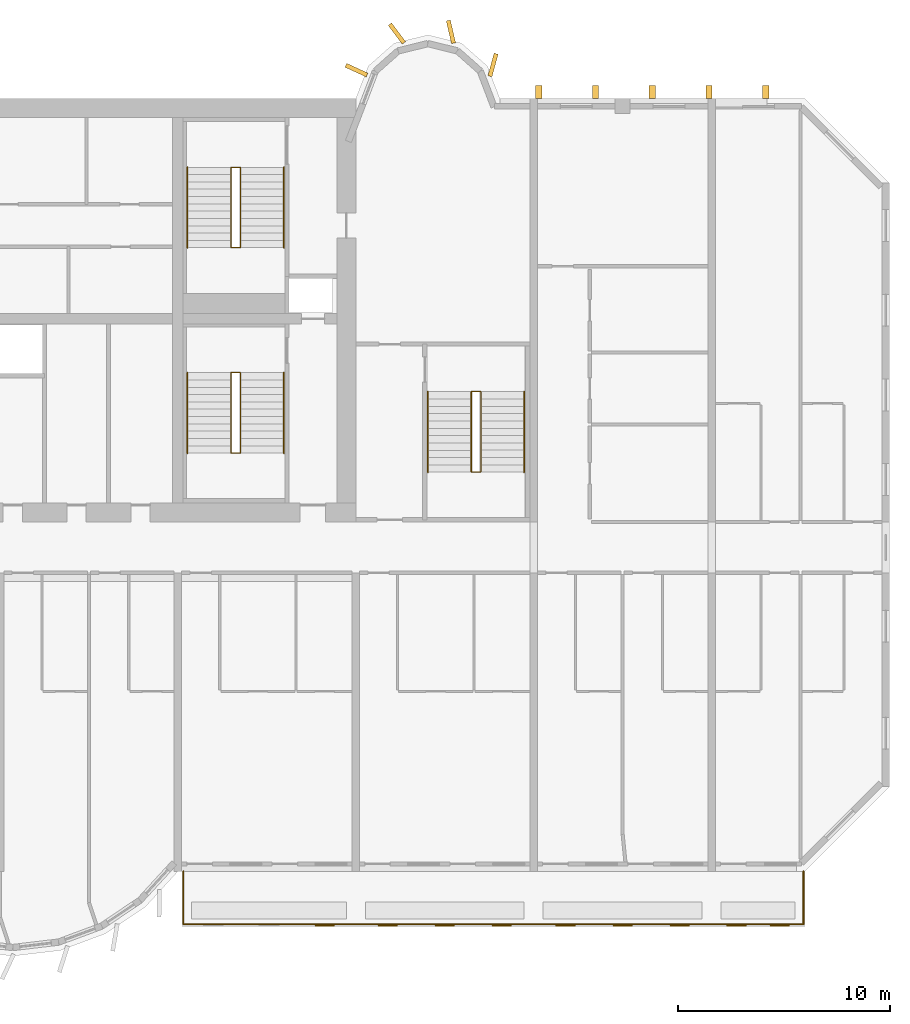
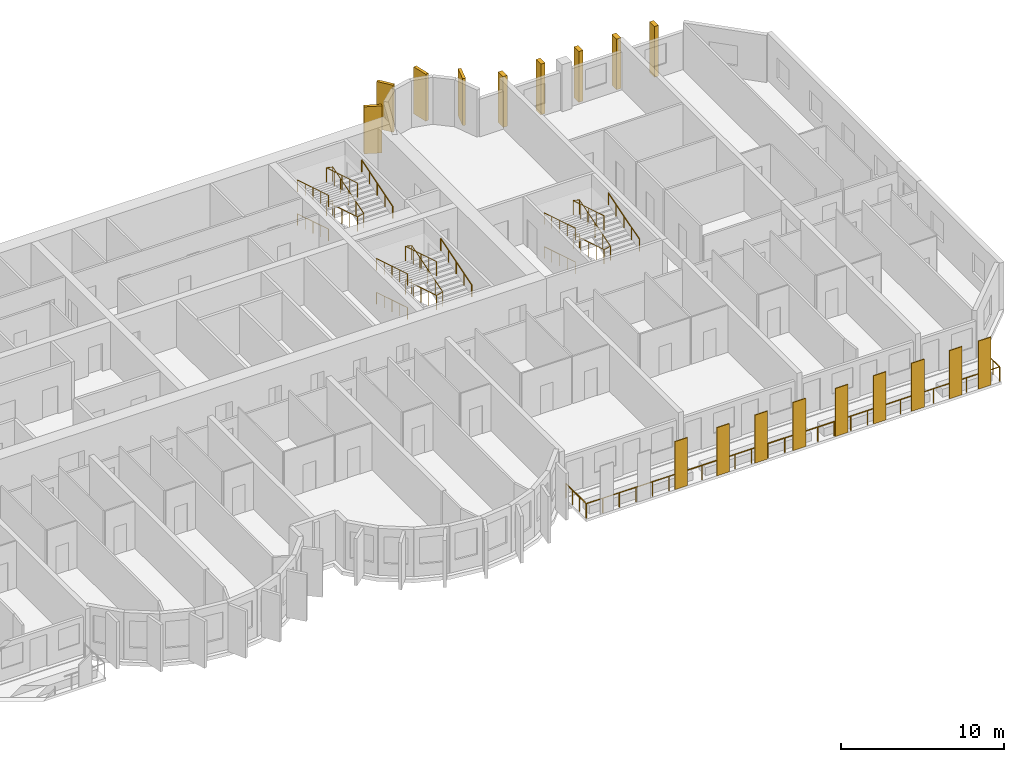
# One storey, part 14 of 15: 18 coverings, 13 railings.
"""IFC4 building model written with IfcOpenShell, lengths in metres."""

from ifc_helpers import new_model, si_unit, direction, frame, origin, origin_2d, place, context, subcontext, project, spatial, rectangle, circle, extrude, source, transform, mapped, material, layer, layer_set, material_profile, profile_set, type_object, element, save


model = new_model("IFC4")

# Units and contexts
model_context = context("Model", 3, precision=1e-05, world=origin(), true_north=direction((0.0, 1.0)))
body_context = subcontext(model_context, "Body", "Model", "MODEL_VIEW")
ifc_project = project(units=[si_unit("LENGTHUNIT", "METRE"), si_unit("AREAUNIT", "SQUARE_METRE"), si_unit("VOLUMEUNIT", "CUBIC_METRE"), si_unit("PLANEANGLEUNIT", "RADIAN"), si_unit("MASSUNIT", "GRAM", prefix="KILO")], contexts=[model_context])

# Site, building, storey
site_placement = place(None, origin())
site = spatial("IfcSite", under=ifc_project, at=site_placement, CompositionType="ELEMENT")
building_placement = place(site_placement, origin())
building = spatial("IfcBuilding", under=site, at=building_placement, Name="Vanashikhar Sky Hotel", CompositionType="ELEMENT")
storey_placement = place(building_placement, frame((0.0, 0.0, 110.39990234375)))
storey = spatial("IfcBuildingStorey", under=building, at=storey_placement, Name="L26", CompositionType="ELEMENT", Elevation=110.39990234375)

# Railing
ifc_material_1 = material(Name="Stainless steel 316", Category="steel")
railing_type_1 = type_object("IfcRailingType", Name="Balcony guard 1100", PredefinedType="GUARDRAIL", material=ifc_material_1)
shared_shape_1 = source(origin(), body_context, "Body", "SweptSolid", [
    extrude(circle(Radius=0.02392578125, at=origin_2d()), frame((0.0, 0.0, 1.076171875), z_axis=(0.0, -1.0, 0.0), x_axis=(1.0, 0.0, 0.0)), (0.0, 0.0, 1.0), 2.5),
    extrude(circle(Radius=0.02392578125, at=origin_2d()), frame((0.0, -2.5, 1.076171875), z_axis=(1.0, 0.0, 0.0), x_axis=(0.0, 1.0, 0.0)), (0.0, 0.0, 1.0), 29.280029296875),
    extrude(circle(Radius=0.02392578125, at=origin_2d()), frame((29.280029296875, -2.5, 1.076171875), z_axis=(0.0, 1.0, 0.0), x_axis=(-1.0, 0.0, 0.0)), (0.0, 0.0, 1.0), 2.5),
    extrude(circle(Radius=0.02099609375, at=origin_2d()), origin(), (0.0, 0.0, 1.0), 1.052001953125),
    extrude(circle(Radius=0.02099609375, at=origin_2d()), frame((0.0, -0.833251953125, 0.0)), (0.0, 0.0, 1.0), 1.052001953125),
    extrude(circle(Radius=0.02099609375, at=origin_2d()), frame((0.0, -1.666748046875, 0.0)), (0.0, 0.0, 1.0), 1.052001953125),
    extrude(circle(Radius=0.02099609375, at=origin_2d()), frame((0.0, -2.5, 0.0)), (0.0, 0.0, 1.0), 1.052001953125),
    extrude(circle(Radius=0.02099609375, at=origin_2d()), frame((1.171142578125, -2.5, 0.0)), (0.0, 0.0, 1.0), 1.052001953125),
    extrude(circle(Radius=0.02099609375, at=origin_2d()), frame((2.34228515625, -2.5, 0.0)), (0.0, 0.0, 1.0), 1.052001953125),
    extrude(circle(Radius=0.02099609375, at=origin_2d()), frame((3.513671875, -2.5, 0.0)), (0.0, 0.0, 1.0), 1.052001953125),
    extrude(circle(Radius=0.02099609375, at=origin_2d()), frame((4.684814453125, -2.5, 0.0)), (0.0, 0.0, 1.0), 1.052001953125),
    extrude(circle(Radius=0.02099609375, at=origin_2d()), frame((5.85595703125, -2.5, 0.0)), (0.0, 0.0, 1.0), 1.052001953125),
    extrude(circle(Radius=0.02099609375, at=origin_2d()), frame((7.027099609375, -2.5, 0.0)), (0.0, 0.0, 1.0), 1.052001953125),
    extrude(circle(Radius=0.02099609375, at=origin_2d()), frame((8.198486328125, -2.5, 0.0)), (0.0, 0.0, 1.0), 1.052001953125),
    extrude(circle(Radius=0.02099609375, at=origin_2d()), frame((9.36962890625, -2.5, 0.0)), (0.0, 0.0, 1.0), 1.052001953125),
    extrude(circle(Radius=0.02099609375, at=origin_2d()), frame((10.540771484375, -2.5, 0.0)), (0.0, 0.0, 1.0), 1.052001953125),
    extrude(circle(Radius=0.02099609375, at=origin_2d()), frame((11.7119140625, -2.5, 0.0)), (0.0, 0.0, 1.0), 1.052001953125),
    extrude(circle(Radius=0.02099609375, at=origin_2d()), frame((12.88330078125, -2.5, 0.0)), (0.0, 0.0, 1.0), 1.052001953125),
    extrude(circle(Radius=0.02099609375, at=origin_2d()), frame((14.054443359375, -2.5, 0.0)), (0.0, 0.0, 1.0), 1.052001953125),
    extrude(circle(Radius=0.02099609375, at=origin_2d()), frame((15.2255859375, -2.5, 0.0)), (0.0, 0.0, 1.0), 1.052001953125),
    extrude(circle(Radius=0.02099609375, at=origin_2d()), frame((16.396728515625, -2.5, 0.0)), (0.0, 0.0, 1.0), 1.052001953125),
    extrude(circle(Radius=0.02099609375, at=origin_2d()), frame((17.568115234375, -2.5, 0.0)), (0.0, 0.0, 1.0), 1.052001953125),
    extrude(circle(Radius=0.02099609375, at=origin_2d()), frame((18.7392578125, -2.5, 0.0)), (0.0, 0.0, 1.0), 1.052001953125),
    extrude(circle(Radius=0.02099609375, at=origin_2d()), frame((19.910400390625, -2.5, 0.0)), (0.0, 0.0, 1.0), 1.052001953125),
    extrude(circle(Radius=0.02099609375, at=origin_2d()), frame((21.08154296875, -2.5, 0.0)), (0.0, 0.0, 1.0), 1.052001953125),
    extrude(circle(Radius=0.02099609375, at=origin_2d()), frame((22.2529296875, -2.5, 0.0)), (0.0, 0.0, 1.0), 1.052001953125),
    extrude(circle(Radius=0.02099609375, at=origin_2d()), frame((23.424072265625, -2.5, 0.0)), (0.0, 0.0, 1.0), 1.052001953125),
    extrude(circle(Radius=0.02099609375, at=origin_2d()), frame((24.59521484375, -2.5, 0.0)), (0.0, 0.0, 1.0), 1.052001953125),
    extrude(circle(Radius=0.02099609375, at=origin_2d()), frame((25.766357421875, -2.5, 0.0)), (0.0, 0.0, 1.0), 1.052001953125),
    extrude(circle(Radius=0.02099609375, at=origin_2d()), frame((26.937744140625, -2.5, 0.0)), (0.0, 0.0, 1.0), 1.052001953125),
    extrude(circle(Radius=0.02099609375, at=origin_2d()), frame((28.10888671875, -2.5, 0.0)), (0.0, 0.0, 1.0), 1.052001953125),
    extrude(circle(Radius=0.02099609375, at=origin_2d()), frame((29.280029296875, -2.5, 0.0)), (0.0, 0.0, 1.0), 1.052001953125),
    extrude(circle(Radius=0.02099609375, at=origin_2d()), frame((29.280029296875, -1.666748046875, 0.0)), (0.0, 0.0, 1.0), 1.052001953125),
    extrude(circle(Radius=0.02099609375, at=origin_2d()), frame((29.280029296875, -0.833251953125, 0.0)), (0.0, 0.0, 1.0), 1.052001953125),
    extrude(circle(Radius=0.02099609375, at=origin_2d()), frame((29.280029296875, 0.0, 0.0)), (0.0, 0.0, 1.0), 1.052001953125),
])
railing_1_placement = place(storey_placement, frame((67.4599609375, 5.5, -0.0498046875)))
element("IfcRailing", 1, at=railing_1_placement, inside=storey, type_object=railing_type_1, Name="Balcony guard", PredefinedType="GUARDRAIL", context=body_context, shape_type="MappedRepresentation", body=[
    mapped(shared_shape_1, transform((0.0, 0.0, 0.0), scale=1.0)),
])

# Coverings
ifc_material_2 = material(Name="Terracotta", Category="masonry")
ifc_layer = layer(ifc_material_2, 0.06005859375)
ifc_layer_set = layer_set([ifc_layer], Name="Terracotta baguette screen")
covering_type_1 = type_object("IfcCoveringType", Name="Terracotta baguette screen", PredefinedType="CLADDING", material=ifc_layer_set)
shared_shape_2 = source(origin(), body_context, "Body", "SweptSolid", [
    extrude(rectangle(XDim=0.89990234375, YDim=0.06005859375, at=origin_2d()), origin(), (0.0, 0.0, 1.0), 3.60009765625),
])
for number, where, z_axis, x_axis, name in (
    (2, (74.13330078125, 2.929931640625, -0.050048828125), (0.0, 0.0, 1.0), (1.0, 0.0, 0.0), "Terracotta screen"),
    (3, (77.10009765625, 2.929931640625, -0.050048828125), (0.0, 0.0, 1.0), (1.0, 0.0, 0.0), "Terracotta screen"),
    (4, (79.800048828125, 2.929931640625, -0.050048828125), (0.0, 0.0, 1.0), (1.0, 0.0, 0.0), "Terracotta screen"),
    (5, (82.5, 2.929931640625, -0.050048828125), (0.0, 0.0, 1.0), (1.0, 0.0, 0.0), "Terracotta screen"),
    (6, (85.5, 2.929931640625, -0.050048828125), (0.0, 0.0, 1.0), (1.0, 0.0, 0.0), "Terracotta screen"),
    (7, (88.199951171875, 2.929931640625, -0.050048828125), (0.0, 0.0, 1.0), (1.0, 0.0, 0.0), "Terracotta screen"),
    (8, (90.89990234375, 2.929931640625, -0.050048828125), (0.0, 0.0, 1.0), (1.0, 0.0, 0.0), "Terracotta screen"),
    (9, (93.574951171875, 2.929931640625, -0.050048828125), (0.0, 0.0, 1.0), (1.0, 0.0, 0.0), "Terracotta screen"),
    (10, (95.625, 2.929931640625, -0.050048828125), (0.0, 0.0, 1.0), (1.0, 0.0, 0.0), "Terracotta screen"),
):
    element("IfcCovering", number, at=place(storey_placement, frame(where, z_axis=z_axis, x_axis=x_axis)), inside=storey, type_object=covering_type_1, Name=name, PredefinedType="CLADDING", context=body_context, shape_type="MappedRepresentation", body=[
        mapped(shared_shape_2, transform((0.0, 0.0, 0.0), scale=1.0)),
    ])
ifc_material_3 = material(Name="Concrete M60 dark", Category="concrete")
ifc_material_profile_1 = material_profile(ifc_material_3, rectangle(XDim=1.10009765625, YDim=0.199951171875, at=origin_2d()))
ifc_profile_set_1 = profile_set([ifc_material_profile_1], Name="Rear lobe fin 1100 x 200")
covering_type_2 = type_object("IfcCoveringType", Name="Rear lobe fin 1100 x 200", PredefinedType="CLADDING", material=ifc_profile_set_1)
shared_shape_3 = source(origin(), body_context, "Body", "SweptSolid", [
    extrude(rectangle(XDim=1.10009765625, YDim=0.199951171875, at=origin_2d()), origin(), (0.0, 0.0, 1.0), 3.52001953125),
])
for number, where, z_axis, x_axis, name in (
    (11, (75.63037109375, 43.33447265625, 0.0), (0.0, 0.0, 1.0), (-0.908004291068, 0.418960866193, 0.0), "Fin R2-1"),
    (12, (77.5380859375, 45.06640625, 0.0), (0.0, 0.0, 1.0), (-0.602065892195, 0.798446404874, 0.0), "Fin R2-2"),
    (13, (80.08984375, 45.1455078125, 0.0), (0.0, 0.0, 1.0), (-0.224644935864, 0.974440687159, 0.0), "Fin R2-3"),
    (14, (82.0791015625, 43.580078125, 0.0), (0.0, 0.0, 1.0), (0.262711264409, 0.964874495234, 0.0), "Fin R2-4"),
):
    element("IfcCovering", number, at=place(storey_placement, frame(where, z_axis=z_axis, x_axis=x_axis)), inside=storey, type_object=covering_type_2, Name=name, PredefinedType="CLADDING", context=body_context, shape_type="MappedRepresentation", body=[
        mapped(shared_shape_3, transform((0.0, 0.0, 0.0), scale=1.0)),
    ])
ifc_material_profile_2 = material_profile(ifc_material_3, rectangle(XDim=0.60009765625, YDim=0.300048828125, at=origin_2d()))
ifc_profile_set_2 = profile_set([ifc_material_profile_2], Name="Rear rib 600 x 300")
covering_type_3 = type_object("IfcCoveringType", Name="Rear rib 600 x 300", PredefinedType="CLADDING", material=ifc_profile_set_2)
shared_shape_4 = source(origin(), body_context, "Body", "SweptSolid", [
    extrude(rectangle(XDim=0.60009765625, YDim=0.300048828125, at=origin_2d()), origin(), (0.0, 0.0, 1.0), 3.7998046875),
])
for number, where, z_axis, x_axis, name in (
    (15, (84.239990234375, 42.300048828125, -0.27978515625), (0.0, 0.0, 1.0), (0.0, 1.0, 0.0), "Rear rib"),
    (16, (86.919921875, 42.300048828125, -0.27978515625), (0.0, 0.0, 1.0), (0.0, 1.0, 0.0), "Rear rib"),
    (17, (89.60009765625, 42.300048828125, -0.27978515625), (0.0, 0.0, 1.0), (0.0, 1.0, 0.0), "Rear rib"),
    (18, (92.280029296875, 42.300048828125, -0.27978515625), (0.0, 0.0, 1.0), (0.0, 1.0, 0.0), "Rear rib"),
    (19, (94.9599609375, 42.300048828125, -0.27978515625), (0.0, 0.0, 1.0), (0.0, 1.0, 0.0), "Rear rib"),
):
    element("IfcCovering", number, at=place(storey_placement, frame(where, z_axis=z_axis, x_axis=x_axis)), inside=storey, type_object=covering_type_3, Name=name, PredefinedType="CLADDING", context=body_context, shape_type="MappedRepresentation", body=[
        mapped(shared_shape_4, transform((0.0, 0.0, 0.0), scale=1.0)),
    ])

# Railings
ifc_material_4 = material(Name="Steel S355", Category="steel")
railing_type_2 = type_object("IfcRailingType", Name="Stair handrail 900", PredefinedType="HANDRAIL", material=ifc_material_4)
shared_shape_5 = source(origin(), body_context, "Body", "SweptSolid", [
    extrude(circle(Radius=0.02392578125, at=origin_2d()), frame((0.0, 0.0, 0.8759765625), z_axis=(0.0, 0.95635109408, 0.292220096591), x_axis=(-1.0, 0.0, 0.0)), (0.0, 0.0, 1.0), 3.973388671875),
    extrude(circle(Radius=0.02099609375, at=origin_2d()), origin(), (0.0, 0.0, 1.0), 0.851806640625),
    extrude(circle(Radius=0.02099609375, at=origin_2d()), frame((0.0, 0.949951171875, 0.290283203125)), (0.0, 0.0, 1.0), 0.851806640625),
    extrude(circle(Radius=0.02099609375, at=origin_2d()), frame((0.0, 1.89990234375, 0.58056640625)), (0.0, 0.0, 1.0), 0.851806640625),
    extrude(circle(Radius=0.02099609375, at=origin_2d()), frame((0.0, 2.85009765625, 0.870849609375)), (0.0, 0.0, 1.0), 0.851806640625),
    extrude(circle(Radius=0.02099609375, at=origin_2d()), frame((0.0, 3.800048828125, 1.1611328125)), (0.0, 0.0, 1.0), 0.851806640625),
])
for number, where, name in (
    (20, (72.199951171875, 25.25, 1.372314453125), "Exit stair 2 handrail"),
    (21, (72.199951171875, 34.949951171875, 1.372314453125), "Exit stair 6 handrail"),
):
    element("IfcRailing", number, at=place(storey_placement, frame(where)), inside=storey, type_object=railing_type_2, Name=name, PredefinedType="HANDRAIL", context=body_context, shape_type="MappedRepresentation", body=[
        mapped(shared_shape_5, transform((0.0, 0.0, 0.0), scale=1.0)),
    ])
shared_shape_6 = source(origin(), body_context, "Body", "SweptSolid", [
    extrude(circle(Radius=0.02392578125, at=origin_2d()), frame((0.0, 0.0, 0.8759765625), z_axis=(0.0, -0.95635109408, 0.292220096591), x_axis=(1.0, 0.0, 0.0)), (0.0, 0.0, 1.0), 3.973388671875),
    extrude(circle(Radius=0.02099609375, at=origin_2d()), origin(), (0.0, 0.0, 1.0), 0.851806640625),
    extrude(circle(Radius=0.02099609375, at=origin_2d()), frame((0.0, -0.949951171875, 0.290283203125)), (0.0, 0.0, 1.0), 0.851806640625),
    extrude(circle(Radius=0.02099609375, at=origin_2d()), frame((0.0, -1.89990234375, 0.58056640625)), (0.0, 0.0, 1.0), 0.851806640625),
    extrude(circle(Radius=0.02099609375, at=origin_2d()), frame((0.0, -2.85009765625, 0.870849609375)), (0.0, 0.0, 1.0), 0.851806640625),
    extrude(circle(Radius=0.02099609375, at=origin_2d()), frame((0.0, -3.800048828125, 1.1611328125)), (0.0, 0.0, 1.0), 0.851806640625),
])
for number, where, name in (
    (22, (67.64990234375, 29.050048828125, 0.105712890625), "Exit stair 2 handrail"),
    (23, (67.64990234375, 29.050048828125, 2.638916015625), "Exit stair 2 handrail"),
    (24, (67.64990234375, 38.75, 0.105712890625), "Exit stair 6 handrail"),
    (25, (67.64990234375, 38.75, 2.638916015625), "Exit stair 6 handrail"),
):
    element("IfcRailing", number, at=place(storey_placement, frame(where)), inside=storey, type_object=railing_type_2, Name=name, PredefinedType="HANDRAIL", context=body_context, shape_type="MappedRepresentation", body=[
        mapped(shared_shape_6, transform((0.0, 0.0, 0.0), scale=1.0)),
    ])
railing_type_3 = type_object("IfcRailingType", Name="Stair guard 1100", PredefinedType="GUARDRAIL", material=ifc_material_4)
shared_shape_7 = source(origin(), body_context, "Body", "SweptSolid", [
    extrude(circle(Radius=0.02392578125, at=origin_2d()), frame((0.0, 0.0, 1.076171875), z_axis=(-0.973493315427, 0.0, 0.228715466945), x_axis=(0.0, -1.0, 0.0)), (0.0, 0.0, 1.0), 0.462158203125),
    extrude(circle(Radius=0.02392578125, at=origin_2d()), frame((-0.449951171875, 0.0, 1.181640625), z_axis=(0.0, -0.95635109408, 0.292220096591), x_axis=(1.0, 0.0, 0.0)), (0.0, 0.0, 1.0), 3.973388671875),
    extrude(circle(Radius=0.02392578125, at=origin_2d()), frame((-0.449951171875, -3.800048828125, 2.3427734375), z_axis=(0.973610808694, 0.0, 0.228214796178), x_axis=(0.0, 1.0, 0.0)), (0.0, 0.0, 1.0), 0.462158203125),
    extrude(circle(Radius=0.02392578125, at=origin_2d()), frame((0.0, -3.800048828125, 2.4482421875), z_axis=(0.0, 0.95635109408, 0.292220096591), x_axis=(-1.0, 0.0, 0.0)), (0.0, 0.0, 1.0), 3.973388671875),
    extrude(circle(Radius=0.02392578125, at=origin_2d()), frame((0.0, 0.0, 3.609375), z_axis=(-0.973610808694, 0.0, 0.228214796178), x_axis=(0.0, -1.0, 0.0)), (0.0, 0.0, 1.0), 0.462158203125),
    extrude(circle(Radius=0.02392578125, at=origin_2d()), frame((-0.449951171875, 0.0, 3.71484375), z_axis=(0.0, -0.95635109408, 0.292220096591), x_axis=(1.0, 0.0, 0.0)), (0.0, 0.0, 1.0), 3.973388671875),
    extrude(circle(Radius=0.02099609375, at=origin_2d()), origin(), (0.0, 0.0, 1.0), 1.052001953125),
    extrude(circle(Radius=0.02099609375, at=origin_2d()), frame((-0.449951171875, 0.0, 0.105712890625)), (0.0, 0.0, 1.0), 1.052001953125),
    extrude(circle(Radius=0.02099609375, at=origin_2d()), frame((-0.449951171875, -0.949951171875, 0.39599609375)), (0.0, 0.0, 1.0), 1.052001953125),
    extrude(circle(Radius=0.02099609375, at=origin_2d()), frame((-0.449951171875, -1.89990234375, 0.686279296875)), (0.0, 0.0, 1.0), 1.052001953125),
    extrude(circle(Radius=0.02099609375, at=origin_2d()), frame((-0.449951171875, -2.85009765625, 0.9765625)), (0.0, 0.0, 1.0), 1.052001953125),
    extrude(circle(Radius=0.02099609375, at=origin_2d()), frame((-0.449951171875, -3.800048828125, 1.266845703125)), (0.0, 0.0, 1.0), 1.052001953125),
    extrude(circle(Radius=0.02099609375, at=origin_2d()), frame((0.0, -3.800048828125, 1.372314453125)), (0.0, 0.0, 1.0), 1.052001953125),
    extrude(circle(Radius=0.02099609375, at=origin_2d()), frame((0.0, -2.85009765625, 1.66259765625)), (0.0, 0.0, 1.0), 1.052001953125),
    extrude(circle(Radius=0.02099609375, at=origin_2d()), frame((0.0, -1.89990234375, 1.952880859375)), (0.0, 0.0, 1.0), 1.052001953125),
    extrude(circle(Radius=0.02099609375, at=origin_2d()), frame((0.0, -0.949951171875, 2.2431640625)), (0.0, 0.0, 1.0), 1.052001953125),
    extrude(circle(Radius=0.02099609375, at=origin_2d()), frame((0.0, 0.0, 2.533447265625)), (0.0, 0.0, 1.0), 1.052001953125),
    extrude(circle(Radius=0.02099609375, at=origin_2d()), frame((-0.449951171875, 0.0, 2.638916015625)), (0.0, 0.0, 1.0), 1.052001953125),
    extrude(circle(Radius=0.02099609375, at=origin_2d()), frame((-0.449951171875, -0.949951171875, 2.92919921875)), (0.0, 0.0, 1.0), 1.052001953125),
    extrude(circle(Radius=0.02099609375, at=origin_2d()), frame((-0.449951171875, -1.89990234375, 3.219482421875)), (0.0, 0.0, 1.0), 1.052001953125),
    extrude(circle(Radius=0.02099609375, at=origin_2d()), frame((-0.449951171875, -2.85009765625, 3.509765625)), (0.0, 0.0, 1.0), 1.052001953125),
    extrude(circle(Radius=0.02099609375, at=origin_2d()), frame((-0.449951171875, -3.800048828125, 3.800048828125)), (0.0, 0.0, 1.0), 1.052001953125),
])
for number, where, name in (
    (26, (70.14990234375, 29.050048828125, 0.0), "Exit stair 2 guard"),
    (27, (70.14990234375, 38.75, 0.0), "Exit stair 6 guard"),
):
    element("IfcRailing", number, at=place(storey_placement, frame(where)), inside=storey, type_object=railing_type_3, Name=name, PredefinedType="GUARDRAIL", context=body_context, shape_type="MappedRepresentation", body=[
        mapped(shared_shape_7, transform((0.0, 0.0, 0.0), scale=1.0)),
    ])
shared_shape_8 = source(origin(), body_context, "Body", "SweptSolid", [
    extrude(circle(Radius=0.02392578125, at=origin_2d()), frame((0.0, 0.0, 0.8759765625), z_axis=(0.0, 0.956345846891, 0.292237268557), x_axis=(-1.0, 0.0, 0.0)), (0.0, 0.0, 1.0), 3.97314453125),
    extrude(circle(Radius=0.02099609375, at=origin_2d()), origin(), (0.0, 0.0, 1.0), 0.851806640625),
    extrude(circle(Radius=0.02099609375, at=origin_2d()), frame((0.0, 0.949951171875, 0.290283203125)), (0.0, 0.0, 1.0), 0.851806640625),
    extrude(circle(Radius=0.02099609375, at=origin_2d()), frame((0.0, 1.89990234375, 0.58056640625)), (0.0, 0.0, 1.0), 0.851806640625),
    extrude(circle(Radius=0.02099609375, at=origin_2d()), frame((0.0, 2.849853515625, 0.870849609375)), (0.0, 0.0, 1.0), 0.851806640625),
    extrude(circle(Radius=0.02099609375, at=origin_2d()), frame((0.0, 3.7998046875, 1.1611328125)), (0.0, 0.0, 1.0), 0.851806640625),
])
railing_2_placement = place(storey_placement, frame((83.550048828125, 24.35009765625, 1.372314453125)))
element("IfcRailing", 28, at=railing_2_placement, inside=storey, type_object=railing_type_2, Name="Exit stair 4 handrail", PredefinedType="HANDRAIL", context=body_context, shape_type="MappedRepresentation", body=[
    mapped(shared_shape_8, transform((0.0, 0.0, 0.0), scale=1.0)),
])
shared_shape_9 = source(origin(), body_context, "Body", "SweptSolid", [
    extrude(circle(Radius=0.02392578125, at=origin_2d()), frame((0.0, 0.0, 0.8759765625), z_axis=(0.0, -0.956345846891, 0.292237268557), x_axis=(1.0, 0.0, 0.0)), (0.0, 0.0, 1.0), 3.97314453125),
    extrude(circle(Radius=0.02099609375, at=origin_2d()), origin(), (0.0, 0.0, 1.0), 0.851806640625),
    extrude(circle(Radius=0.02099609375, at=origin_2d()), frame((0.0, -0.949951171875, 0.290283203125)), (0.0, 0.0, 1.0), 0.851806640625),
    extrude(circle(Radius=0.02099609375, at=origin_2d()), frame((0.0, -1.89990234375, 0.58056640625)), (0.0, 0.0, 1.0), 0.851806640625),
    extrude(circle(Radius=0.02099609375, at=origin_2d()), frame((0.0, -2.849853515625, 0.870849609375)), (0.0, 0.0, 1.0), 0.851806640625),
    extrude(circle(Radius=0.02099609375, at=origin_2d()), frame((0.0, -3.7998046875, 1.1611328125)), (0.0, 0.0, 1.0), 0.851806640625),
])
for number, where, name in (
    (29, (79.0, 28.14990234375, 0.105712890625), "Exit stair 4 handrail"),
    (30, (79.0, 28.14990234375, 2.638916015625), "Exit stair 4 handrail"),
):
    element("IfcRailing", number, at=place(storey_placement, frame(where)), inside=storey, type_object=railing_type_2, Name=name, PredefinedType="HANDRAIL", context=body_context, shape_type="MappedRepresentation", body=[
        mapped(shared_shape_9, transform((0.0, 0.0, 0.0), scale=1.0)),
    ])
shared_shape_10 = source(origin(), body_context, "Body", "SweptSolid", [
    extrude(circle(Radius=0.02392578125, at=origin_2d()), frame((0.0, 0.0, 1.076171875), z_axis=(-0.973493315427, 0.0, 0.228715466945), x_axis=(0.0, -1.0, 0.0)), (0.0, 0.0, 1.0), 0.462158203125),
    extrude(circle(Radius=0.02392578125, at=origin_2d()), frame((-0.449951171875, 0.0, 1.181640625), z_axis=(0.0, -0.956345846891, 0.292237268557), x_axis=(1.0, 0.0, 0.0)), (0.0, 0.0, 1.0), 3.97314453125),
    extrude(circle(Radius=0.02392578125, at=origin_2d()), frame((-0.449951171875, -3.7998046875, 2.3427734375), z_axis=(0.973610808694, 0.0, 0.228214796178), x_axis=(0.0, 1.0, 0.0)), (0.0, 0.0, 1.0), 0.462158203125),
    extrude(circle(Radius=0.02392578125, at=origin_2d()), frame((0.0, -3.7998046875, 2.4482421875), z_axis=(0.0, 0.956345846891, 0.292237268557), x_axis=(-1.0, 0.0, 0.0)), (0.0, 0.0, 1.0), 3.97314453125),
    extrude(circle(Radius=0.02392578125, at=origin_2d()), frame((0.0, 0.0, 3.609375), z_axis=(-0.973610808694, 0.0, 0.228214796178), x_axis=(0.0, -1.0, 0.0)), (0.0, 0.0, 1.0), 0.462158203125),
    extrude(circle(Radius=0.02392578125, at=origin_2d()), frame((-0.449951171875, 0.0, 3.71484375), z_axis=(0.0, -0.956345846891, 0.292237268557), x_axis=(1.0, 0.0, 0.0)), (0.0, 0.0, 1.0), 3.97314453125),
    extrude(circle(Radius=0.02099609375, at=origin_2d()), origin(), (0.0, 0.0, 1.0), 1.052001953125),
    extrude(circle(Radius=0.02099609375, at=origin_2d()), frame((-0.449951171875, 0.0, 0.105712890625)), (0.0, 0.0, 1.0), 1.052001953125),
    extrude(circle(Radius=0.02099609375, at=origin_2d()), frame((-0.449951171875, -0.949951171875, 0.39599609375)), (0.0, 0.0, 1.0), 1.052001953125),
    extrude(circle(Radius=0.02099609375, at=origin_2d()), frame((-0.449951171875, -1.89990234375, 0.686279296875)), (0.0, 0.0, 1.0), 1.052001953125),
    extrude(circle(Radius=0.02099609375, at=origin_2d()), frame((-0.449951171875, -2.849853515625, 0.9765625)), (0.0, 0.0, 1.0), 1.052001953125),
    extrude(circle(Radius=0.02099609375, at=origin_2d()), frame((-0.449951171875, -3.7998046875, 1.266845703125)), (0.0, 0.0, 1.0), 1.052001953125),
    extrude(circle(Radius=0.02099609375, at=origin_2d()), frame((0.0, -3.7998046875, 1.372314453125)), (0.0, 0.0, 1.0), 1.052001953125),
    extrude(circle(Radius=0.02099609375, at=origin_2d()), frame((0.0, -2.849853515625, 1.66259765625)), (0.0, 0.0, 1.0), 1.052001953125),
    extrude(circle(Radius=0.02099609375, at=origin_2d()), frame((0.0, -1.89990234375, 1.952880859375)), (0.0, 0.0, 1.0), 1.052001953125),
    extrude(circle(Radius=0.02099609375, at=origin_2d()), frame((0.0, -0.949951171875, 2.2431640625)), (0.0, 0.0, 1.0), 1.052001953125),
    extrude(circle(Radius=0.02099609375, at=origin_2d()), frame((0.0, 0.0, 2.533447265625)), (0.0, 0.0, 1.0), 1.052001953125),
    extrude(circle(Radius=0.02099609375, at=origin_2d()), frame((-0.449951171875, 0.0, 2.638916015625)), (0.0, 0.0, 1.0), 1.052001953125),
    extrude(circle(Radius=0.02099609375, at=origin_2d()), frame((-0.449951171875, -0.949951171875, 2.92919921875)), (0.0, 0.0, 1.0), 1.052001953125),
    extrude(circle(Radius=0.02099609375, at=origin_2d()), frame((-0.449951171875, -1.89990234375, 3.219482421875)), (0.0, 0.0, 1.0), 1.052001953125),
    extrude(circle(Radius=0.02099609375, at=origin_2d()), frame((-0.449951171875, -2.849853515625, 3.509765625)), (0.0, 0.0, 1.0), 1.052001953125),
    extrude(circle(Radius=0.02099609375, at=origin_2d()), frame((-0.449951171875, -3.7998046875, 3.800048828125)), (0.0, 0.0, 1.0), 1.052001953125),
])
railing_3_placement = place(storey_placement, frame((81.5, 28.14990234375, 0.0)))
element("IfcRailing", 31, at=railing_3_placement, inside=storey, type_object=railing_type_3, Name="Exit stair 4 guard", PredefinedType="GUARDRAIL", context=body_context, shape_type="MappedRepresentation", body=[
    mapped(shared_shape_10, transform((0.0, 0.0, 0.0), scale=1.0)),
])

save(model, "model.ifc")
